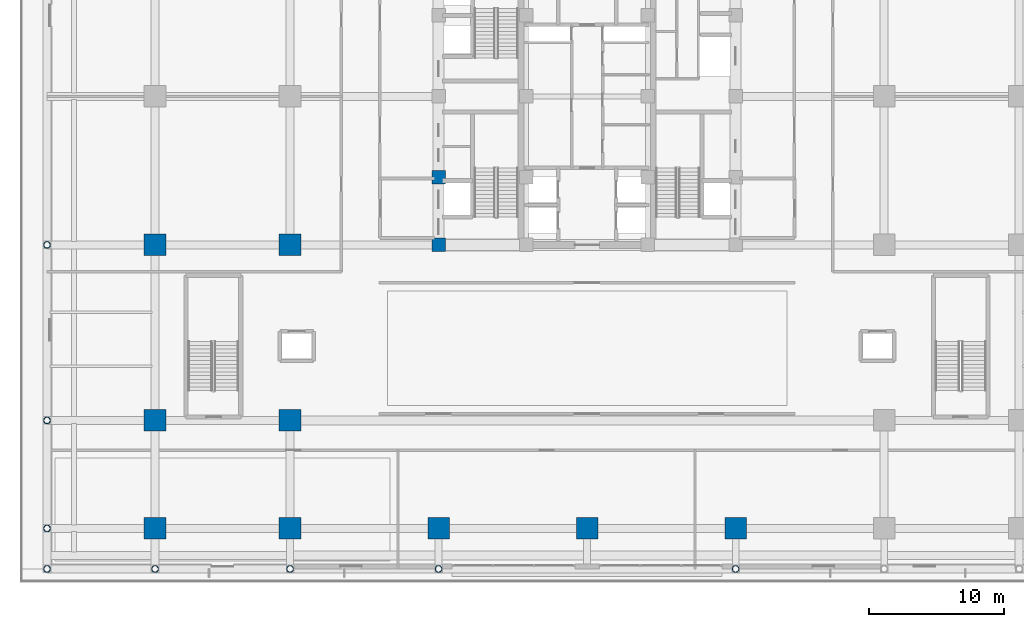
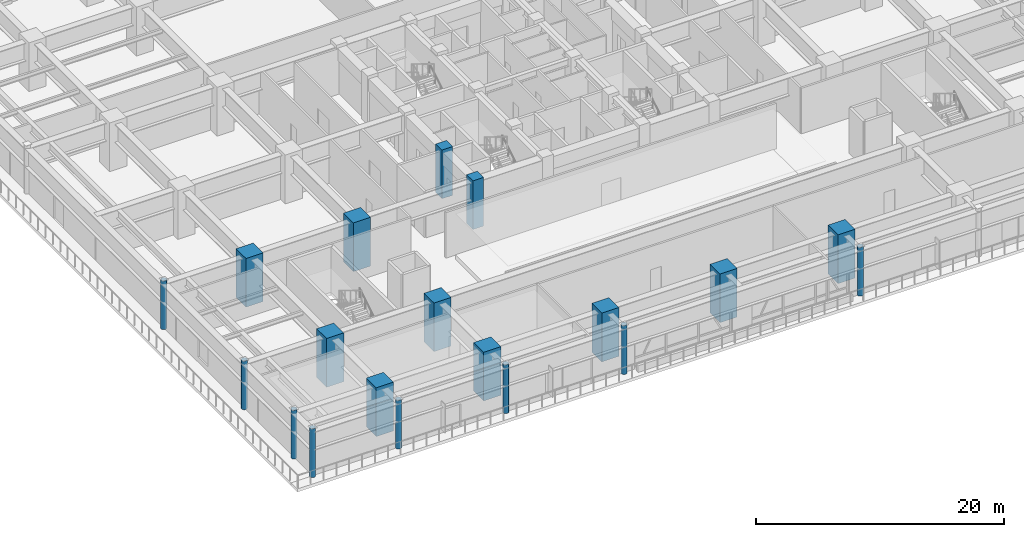
# One storey, part 1 of 38: 19 columns.
"""IFC4 building model written with IfcOpenShell, lengths in metres."""

from ifc_helpers import new_model, si_unit, direction, frame, origin, origin_2d, place, context, subcontext, project, spatial, rectangle, hollow_circle, extrude, source, transform, mapped, material, material_profile, profile_set, type_object, element, save


model = new_model("IFC4")

# Units and contexts
model_context = context("Model", 3, precision=1e-05, world=origin(), true_north=direction((0.0, 1.0)))
body_context = subcontext(model_context, "Body", "Model", "MODEL_VIEW")
ifc_project = project(units=[si_unit("LENGTHUNIT", "METRE"), si_unit("AREAUNIT", "SQUARE_METRE"), si_unit("VOLUMEUNIT", "CUBIC_METRE"), si_unit("PLANEANGLEUNIT", "RADIAN"), si_unit("MASSUNIT", "GRAM", prefix="KILO")], contexts=[model_context])

# Site, building, storey
site_placement = place(None, origin())
site = spatial("IfcSite", under=ifc_project, at=site_placement, CompositionType="ELEMENT")
building_placement = place(site_placement, origin())
building = spatial("IfcBuilding", under=site, at=building_placement, Name="Khorayat Bourse Tower", CompositionType="ELEMENT")
storey_placement = place(building_placement, frame((0.0, 0.0, 17.39990234375)))
storey = spatial("IfcBuildingStorey", under=building, at=storey_placement, Name="L03", CompositionType="ELEMENT", Elevation=17.39990234375)

# Columns
ifc_material_1 = material(Name="Concrete C72/90", Category="concrete")
ifc_material_profile_1 = material_profile(ifc_material_1, rectangle(XDim=1.60009765625, YDim=1.60009765625, at=origin_2d()), Name="RC 1600x1600")
ifc_profile_set_1 = profile_set([ifc_material_profile_1], Name="Concrete C72/90")
column_type_1 = type_object("IfcColumnType", Name="COL-MEGA-1600", PredefinedType="COLUMN", material=ifc_profile_set_1)
shared_shape_1 = source(origin(), body_context, "Body", "SweptSolid", [
    extrude(rectangle(XDim=1.60009765625, YDim=1.60009765625, at=origin_2d()), origin(), (0.0, 0.0, 1.0), 4.800048828125),
])
for number, where, z_axis, x_axis, name in (
    (1, (-32.0, -32.0, 0.0), (0.0, 0.0, 1.0), (1.0, 0.0, 0.0), "L03 Column 008"),
    (2, (-32.0, -24.0, 0.0), (0.0, 0.0, 1.0), (1.0, 0.0, 0.0), "L03 Column 009"),
    (3, (-32.0, -11.0, 0.0), (0.0, 0.0, 1.0), (1.0, 0.0, 0.0), "L03 Column 010"),
    (4, (-22.0, -32.0, 0.0), (0.0, 0.0, 1.0), (1.0, 0.0, 0.0), "L03 Column 017"),
    (5, (-22.0, -24.0, 0.0), (0.0, 0.0, 1.0), (1.0, 0.0, 0.0), "L03 Column 018"),
    (6, (-22.0, -11.0, 0.0), (0.0, 0.0, 1.0), (1.0, 0.0, 0.0), "L03 Column 019"),
    (7, (-11.0, -32.0, 0.0), (0.0, 0.0, 1.0), (1.0, 0.0, 0.0), "L03 Column 026"),
    (8, (0.0, -32.0, 0.0), (0.0, 0.0, 1.0), (1.0, 0.0, 0.0), "L03 Column 039"),
    (9, (11.0, -32.0, 0.0), (0.0, 0.0, 1.0), (1.0, 0.0, 0.0), "L03 Column 047"),
):
    element("IfcColumn", number, at=place(storey_placement, frame(where, z_axis=z_axis, x_axis=x_axis)), inside=storey, type_object=column_type_1, Name=name, PredefinedType="COLUMN", context=body_context, shape_type="MappedRepresentation", body=[
        mapped(shared_shape_1, transform((0.0, 0.0, 0.0), scale=1.0)),
    ])
ifc_material_profile_2 = material_profile(ifc_material_1, rectangle(XDim=1.0, YDim=1.0, at=origin_2d()), Name="RC 1000x1000")
ifc_profile_set_2 = profile_set([ifc_material_profile_2], Name="Concrete C72/90")
column_type_2 = type_object("IfcColumnType", Name="COL-CORE-1000", PredefinedType="COLUMN", material=ifc_profile_set_2)
shared_shape_2 = source(origin(), body_context, "Body", "SweptSolid", [
    extrude(rectangle(XDim=1.0, YDim=1.0, at=origin_2d()), origin(), (0.0, 0.0, 1.0), 4.800048828125),
])
for number, where, z_axis, x_axis, name in (
    (10, (-11.0, -11.0, 0.0), (0.0, 0.0, 1.0), (1.0, 0.0, 0.0), "L03 Column 027"),
    (11, (-11.0, -6.0, 0.0), (0.0, 0.0, 1.0), (1.0, 0.0, 0.0), "L03 Column 028"),
):
    element("IfcColumn", number, at=place(storey_placement, frame(where, z_axis=z_axis, x_axis=x_axis)), inside=storey, type_object=column_type_2, Name=name, PredefinedType="COLUMN", context=body_context, shape_type="MappedRepresentation", body=[
        mapped(shared_shape_2, transform((0.0, 0.0, 0.0), scale=1.0)),
    ])
ifc_material_2 = material(Name="Steel EN 10025-2 S355J2", Category="steel")
ifc_material_profile_3 = material_profile(ifc_material_2, hollow_circle(Radius=0.25390625, WallThickness=0.02490234375, at=origin_2d()), Name="CHS 508x25")
ifc_profile_set_3 = profile_set([ifc_material_profile_3], Name="Steel EN 10025-2 S355J2")
column_type_3 = type_object("IfcColumnType", Name="COL-POD-CHS508", PredefinedType="COLUMN", material=ifc_profile_set_3)
shared_shape_3 = source(origin(), body_context, "Body", "SweptSolid", [
    extrude(hollow_circle(Radius=0.25390625, WallThickness=0.02490234375, at=origin_2d()), origin(), (0.0, 0.0, 1.0), 4.800048828125),
])
for number, where, z_axis, x_axis, name in (
    (12, (-40.0, -35.0, 0.0), (0.0, 0.0, 1.0), (1.0, 0.0, 0.0), "L03 Column 001"),
    (13, (-40.0, -24.0, 0.0), (0.0, 0.0, 1.0), (1.0, 0.0, 0.0), "L03 Column 002"),
    (14, (-40.0, -11.0, 0.0), (0.0, 0.0, 1.0), (1.0, 0.0, 0.0), "L03 Column 003"),
    (15, (-32.0, -35.0, 0.0), (0.0, 0.0, 1.0), (1.0, 0.0, 0.0), "L03 Column 007"),
    (16, (-22.0, -35.0, 0.0), (0.0, 0.0, 1.0), (1.0, 0.0, 0.0), "L03 Column 016"),
    (17, (-11.0, -35.0, 0.0), (0.0, 0.0, 1.0), (1.0, 0.0, 0.0), "L03 Column 025"),
    (18, (11.0, -35.0, 0.0), (0.0, 0.0, 1.0), (1.0, 0.0, 0.0), "L03 Column 046"),
    (19, (-40.0, -32.0, 0.0), (0.0, 0.0, 1.0), (1.0, 0.0, 0.0), "L03 Perimeter Step Column 1"),
):
    element("IfcColumn", number, at=place(storey_placement, frame(where, z_axis=z_axis, x_axis=x_axis)), inside=storey, type_object=column_type_3, Name=name, PredefinedType="COLUMN", context=body_context, shape_type="MappedRepresentation", body=[
        mapped(shared_shape_3, transform((0.0, 0.0, 0.0), scale=1.0)),
    ])

save(model, "model.ifc")
